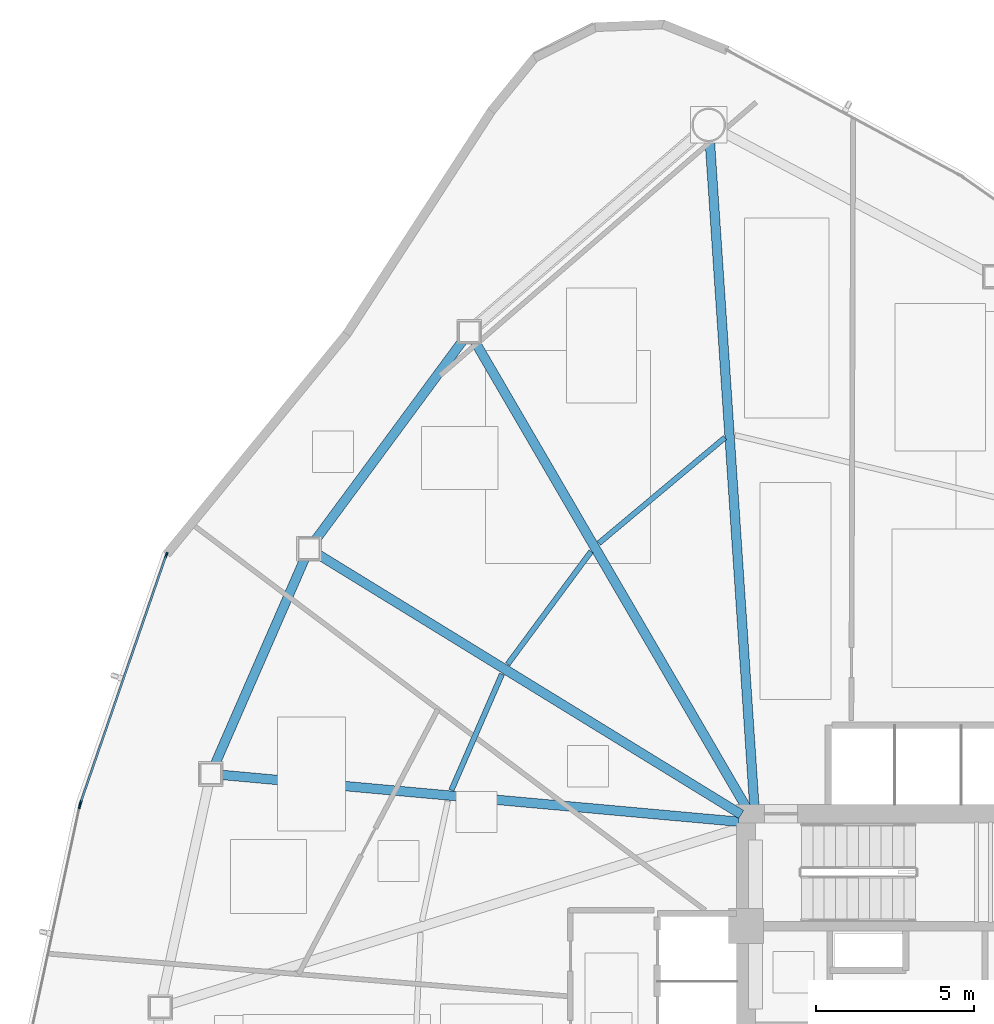
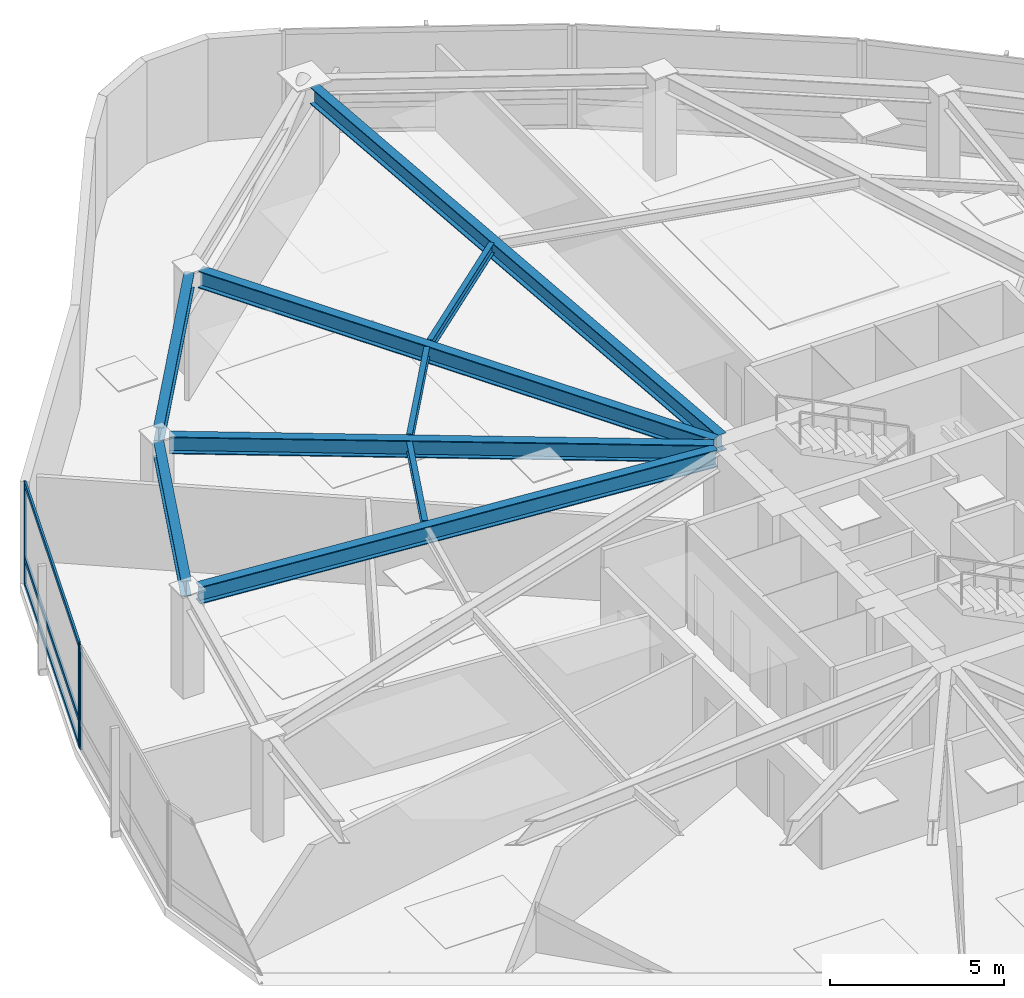
# One storey, part 7 of 17: 9 beams, 6 members, 2 elements without a shape of their own.
"""IFC4 building model written with IfcOpenShell, lengths in metres."""

import ifcopenshell
import ifcopenshell.guid

model = None  # the IFC model being written
_history = None  # IfcOwnerHistory: only IFC2X3 demands one
_inside = {}  # id of a spatial element -> (the spatial element, [elements in it])
_under = {}  # id of a project, library or spatial element -> (it, [spatial elements below it])
_declared = {}  # id of a project -> (the project, [libraries it declares])
_typed = {}  # id of a type object -> (the type object, [elements of that type])
_made_of = {}  # id of a material, layer set ... -> (it, [elements and type objects made of it])


def new_model(schema):
    """Start an empty IFC model of exactly this schema.

    Asked for "IFC4X3", IfcOpenShell would pick the latest addendum, in which some entities
    have other attributes; the version numbers below select the first issue.
    IFC2X3 requires an IfcOwnerHistory on every rooted entity: one is made here for all.
    """
    global model, _history
    if schema == "IFC4X3":
        model = ifcopenshell.file(schema_version=(4, 3, 0, 0))
    else:
        model = ifcopenshell.file(schema=schema)
    _inside.clear()
    _under.clear()
    _declared.clear()
    _typed.clear()
    _made_of.clear()
    _history = None
    if model.schema == "IFC2X3":
        org = make("IfcOrganization", Name="unknown")
        user = make(
            "IfcPersonAndOrganization",
            ThePerson=make("IfcPerson", FamilyName="unknown"),
            TheOrganization=org,
        )
        app = make(
            "IfcApplication",
            ApplicationDeveloper=org,
            Version="unknown",
            ApplicationFullName="unknown",
            ApplicationIdentifier="unknown",
        )
        _history = make(
            "IfcOwnerHistory",
            OwningUser=user,
            OwningApplication=app,
            ChangeAction="ADDED",
            CreationDate=0,
        )
    return model


def make(cls, **values):
    """One entity of the class cls with the attributes given. An attribute that is None is left unset."""
    return model.create_entity(
        cls, **{name: value for name, value in values.items() if value is not None}
    )


def rooted(cls, **values):
    """An entity with a GlobalId (a new one), such as an element, a storey or a relation."""
    return make(cls, GlobalId=ifcopenshell.guid.new(), OwnerHistory=_history, **values)


def si_unit(unit_type, name, prefix=None):
    """IfcSIUnit, for example si_unit("LENGTHUNIT", "METRE", prefix="MILLI")."""
    return make("IfcSIUnit", UnitType=unit_type, Prefix=prefix, Name=name)


def assignment(units):
    """IfcUnitAssignment: the units of a project."""
    return None if units is None else make("IfcUnitAssignment", Units=units)


def point(xyz):
    """IfcCartesianPoint."""
    return None if xyz is None else make("IfcCartesianPoint", Coordinates=xyz)


def direction(xyz):
    """IfcDirection."""
    return None if xyz is None else make("IfcDirection", DirectionRatios=xyz)


def frame(location, z_axis=None, x_axis=None):
    """IfcAxis2Placement3D, a coordinate frame: its origin and axes. An axis left out is left unset."""
    return make(
        "IfcAxis2Placement3D",
        Location=point(location),
        Axis=direction(z_axis),
        RefDirection=direction(x_axis),
    )


def frame_2d(location, x_axis=None):
    """IfcAxis2Placement2D, a coordinate frame in the plane: its origin and x axis."""
    return make(
        "IfcAxis2Placement2D", Location=point(location), RefDirection=direction(x_axis)
    )


def origin():
    """The frame at (0, 0, 0) with its axes left unset."""
    return frame((0.0, 0.0, 0.0))


def origin_2d():
    """The frame at (0, 0) in the plane with its x axis left unset."""
    return frame_2d((0.0, 0.0))


def place(relative_to, where):
    """IfcLocalPlacement: puts the frame where relative to a parent placement (None: the world)."""
    return make(
        "IfcLocalPlacement", PlacementRelTo=relative_to, RelativePlacement=where
    )


def context(
    kind, dimensions, precision=None, world=None, true_north=None, identifier=None
):
    """IfcGeometricRepresentationContext, for example the 3D "Model" context."""
    return make(
        "IfcGeometricRepresentationContext",
        ContextIdentifier=identifier,
        ContextType=kind,
        CoordinateSpaceDimension=dimensions,
        Precision=precision,
        WorldCoordinateSystem=world,
        TrueNorth=true_north,
    )


def subcontext(parent, identifier, kind, view, scale=None):
    """IfcGeometricRepresentationSubContext, for example "Body" below "Model"."""
    return make(
        "IfcGeometricRepresentationSubContext",
        ContextIdentifier=identifier,
        ContextType=kind,
        ParentContext=parent,
        TargetScale=scale,
        TargetView=view,
    )


def project(units=None, contexts=None):
    """IfcProject with its units and contexts."""
    return rooted(
        "IfcProject",
        Name="project",
        RepresentationContexts=contexts,
        UnitsInContext=assignment(units),
    )


def spatial(cls, under=None, at=None, **own):
    """A site, building, storey or space (cls), placed at a placement, below another one or the project."""
    s = rooted(cls, ObjectPlacement=at, **own)
    if under is not None:
        _under.setdefault(under.id(), (under, []))[1].append(s)
    return s


def profile(cls, at=None, kind="AREA", **sizes):
    """A parametric profile (cls). Its sizes go by their IFC names, for example OverallWidth=200.0."""
    return make(cls, ProfileType=kind, Position=at, **sizes)


def hollow_rectangle(**sizes):
    """IfcRectangleHollowProfileDef."""
    return profile("IfcRectangleHollowProfileDef", **sizes)


def i_section(**sizes):
    """IfcIShapeProfileDef."""
    return profile("IfcIShapeProfileDef", **sizes)


def extrude(swept, where, along, depth):
    """IfcExtrudedAreaSolid: the profile swept, set in the frame where, extruded along a direction by depth."""
    return make(
        "IfcExtrudedAreaSolid",
        SweptArea=swept,
        Position=where,
        ExtrudedDirection=direction(along),
        Depth=depth,
    )


def shape(context_of_items, identifier, shape_type, items):
    """IfcShapeRepresentation: the items that make up one representation, for example the "Body"."""
    return make(
        "IfcShapeRepresentation",
        ContextOfItems=context_of_items,
        RepresentationIdentifier=identifier,
        RepresentationType=shape_type,
        Items=items,
    )


def source(mapping_origin, context_of_items, identifier, shape_type, items):
    """IfcRepresentationMap: a shape defined once, which mapped items show again and again."""
    return make(
        "IfcRepresentationMap",
        MappingOrigin=mapping_origin,
        MappedRepresentation=shape(context_of_items, identifier, shape_type, items),
    )


def transform(
    local_origin,
    x_axis=None,
    y_axis=None,
    z_axis=None,
    scale=None,
    scale2=None,
    scale3=None,
    uniform=True,
):
    """IfcCartesianTransformationOperator3D, or its non-uniform kind. x_axis, y_axis, z_axis: its Axis1, 2, 3."""
    if uniform:
        return make(
            "IfcCartesianTransformationOperator3D",
            Axis1=direction(x_axis),
            Axis2=direction(y_axis),
            LocalOrigin=point(local_origin),
            Scale=scale,
            Axis3=direction(z_axis),
        )
    return make(
        "IfcCartesianTransformationOperator3DnonUniform",
        Axis1=direction(x_axis),
        Axis2=direction(y_axis),
        LocalOrigin=point(local_origin),
        Scale=scale,
        Axis3=direction(z_axis),
        Scale2=scale2,
        Scale3=scale3,
    )


def mapped(mapping_source, mapping_target):
    """IfcMappedItem: shows the shape of a source again, moved by a transform."""
    return make(
        "IfcMappedItem", MappingSource=mapping_source, MappingTarget=mapping_target
    )


def material(Name=None, Category=None):
    """IfcMaterial."""
    return make("IfcMaterial", Name=Name, Category=Category)


def layer(
    of_material, thickness, ventilated=None, Name=None, Category=None, Priority=None
):
    """IfcMaterialLayer: one layer of a wall or slab, of a material (None: an air gap)."""
    return make(
        "IfcMaterialLayer",
        Material=of_material,
        LayerThickness=thickness,
        IsVentilated=ventilated,
        Name=Name,
        Category=Category,
        Priority=Priority,
    )


def layer_set(layers, Name=None):
    """IfcMaterialLayerSet."""
    return make("IfcMaterialLayerSet", MaterialLayers=layers, LayerSetName=Name)


def material_profile(
    of_material, cross_section, Name=None, Category=None, Priority=None
):
    """IfcMaterialProfile: a cross section and its material."""
    return make(
        "IfcMaterialProfile",
        Name=Name,
        Material=of_material,
        Profile=cross_section,
        Priority=Priority,
        Category=Category,
    )


def profile_set(profiles, Name=None, composite=None):
    """IfcMaterialProfileSet."""
    return make(
        "IfcMaterialProfileSet",
        Name=Name,
        MaterialProfiles=profiles,
        CompositeProfile=composite,
    )


def made_of(thing, what):
    """Note that an element or type object is made of a material, layer set ...; save() writes the relation."""
    if what is not None:
        _made_of.setdefault(what.id(), (what, []))[1].append(thing)
    return thing


def type_object(cls, material=None, **own):
    """A type object (cls), such as IfcWallType, which elements share."""
    return made_of(rooted(cls, **own), material)


def type_shapes(of_type, sources):
    """Give a type object the sources (RepresentationMaps) that its elements show as mapped items."""
    of_type.RepresentationMaps = sources


def element(
    cls,
    number,
    at=None,
    inside=None,
    cuts=None,
    type_object=None,
    material=None,
    context=None,
    identifier="Body",
    shape_type=None,
    held_by="IfcProductDefinitionShape",
    body=None,
    shapes=None,
    **own,
):
    """One element of the class cls, such as IfcWall. Its Tag is "e" and its number.

    at: its placement. inside: the storey or other place that contains it. cuts: it is an
    opening in that element (IfcRelVoidsElement). A single representation is given by context,
    identifier, shape_type and body (its items); several are given by shapes. held_by: the class
    of the entity that holds the representations. save() writes the other relations.
    """
    e = rooted(cls, Tag="e%d" % number, ObjectPlacement=at, **own)
    if body is not None:
        shapes = [shape(context, identifier, shape_type, body)]
    if shapes is not None:
        e.Representation = make(held_by, Representations=shapes)
    if inside is not None:
        _inside.setdefault(inside.id(), (inside, []))[1].append(e)
    if cuts is not None:
        rooted(
            "IfcRelVoidsElement", RelatingBuildingElement=cuts, RelatedOpeningElement=e
        )
    if type_object is not None:
        _typed.setdefault(type_object.id(), (type_object, []))[1].append(e)
    return made_of(e, material)


def aggregate(whole, parts):
    """IfcRelAggregates: a whole, such as a stair, and the parts it consists of."""
    return rooted("IfcRelAggregates", RelatingObject=whole, RelatedObjects=parts)


def save(model, path):
    """Write the relations noted so far, then the file.

    IfcRelAggregates (storeys below a building ...), IfcRelContainedInSpatialStructure (elements
    in a storey), IfcRelDefinesByType, IfcRelAssociatesMaterial and IfcRelDeclares: one each for
    every whole, place, type object, material and project.
    """
    for whole, parts in _under.values():
        aggregate(whole, parts)
    for where, things in _inside.values():
        rooted(
            "IfcRelContainedInSpatialStructure",
            RelatedElements=things,
            RelatingStructure=where,
        )
    for kind, things in _typed.values():
        rooted("IfcRelDefinesByType", RelatedObjects=things, RelatingType=kind)
    for what, things in _made_of.values():
        rooted("IfcRelAssociatesMaterial", RelatedObjects=things, RelatingMaterial=what)
    for by, libraries in _declared.values():
        rooted("IfcRelDeclares", RelatingContext=by, RelatedDefinitions=libraries)
    model.write(path)


model = new_model("IFC4")

# Units and contexts
model_context = context("Model", 3, precision=1e-05, world=origin(), true_north=direction((0.0, 1.0)))
body_context = subcontext(model_context, "Body", "Model", "MODEL_VIEW")
ifc_project = project(units=[si_unit("LENGTHUNIT", "METRE"), si_unit("AREAUNIT", "SQUARE_METRE"), si_unit("VOLUMEUNIT", "CUBIC_METRE"), si_unit("PLANEANGLEUNIT", "RADIAN"), si_unit("MASSUNIT", "GRAM", prefix="KILO")], contexts=[model_context])

# Site, building, storey
site_placement = place(None, origin())
site = spatial("IfcSite", under=ifc_project, at=site_placement, CompositionType="ELEMENT")
building_placement = place(site_placement, origin())
building = spatial("IfcBuilding", under=site, at=building_placement, Name="Tavelor Broadcast Tower", CompositionType="ELEMENT")
storey_placement = place(building_placement, frame((0.0, 0.0, 86.10009765625)))
storey = spatial("IfcBuildingStorey", under=building, at=storey_placement, Name="L20", CompositionType="ELEMENT", Elevation=86.10009765625)

# Beams
ifc_material_1 = material(Name="Steel S355", Category="steel")
ifc_material_profile_1 = material_profile(ifc_material_1, i_section(OverallWidth=0.169921875, OverallDepth=0.360107421875, WebThickness=0.008056640625, FlangeThickness=0.0126953125, at=origin_2d()), Name="IPE 360")
ifc_profile_set_1 = profile_set([ifc_material_profile_1], Name="Steel S355")
beam_type_1 = type_object("IfcBeamType", Name="Composite Floor Joist T2 IPE 360", PredefinedType="JOIST", material=ifc_profile_set_1)
beam_1_placement = place(storey_placement, frame((42.437744140625, 63.38671875, 3.419921875), z_axis=(-0.766764124222, -0.641928950746, 0.0), x_axis=(0.641928950746, -0.766764124222, 0.0)))
element("IfcBeam", 1, at=beam_1_placement, inside=storey, type_object=beam_type_1, Name="L20 Secondary Composite Floor Joist 01", PredefinedType="JOIST", context=body_context, shape_type="SweptSolid", body=[
    extrude(i_section(OverallWidth=0.169921875, OverallDepth=0.360107421875, WebThickness=0.008056640625, FlangeThickness=0.0126953125, at=origin_2d()), origin(), (0.0, 0.0, 1.0), 5.1982421875),
])
beam_2_placement = place(storey_placement, frame((38.20556640625, 59.7880859375, 3.419921875), z_axis=(-0.594699209794, -0.803948288057, 0.0), x_axis=(0.803948288057, -0.594699209794, 0.0)))
element("IfcBeam", 2, at=beam_2_placement, inside=storey, type_object=beam_type_1, Name="L20 Secondary Composite Floor Joist 02", PredefinedType="JOIST", context=body_context, shape_type="SweptSolid", body=[
    extrude(i_section(OverallWidth=0.169921875, OverallDepth=0.360107421875, WebThickness=0.008056640625, FlangeThickness=0.0126953125, at=origin_2d()), origin(), (0.0, 0.0, 1.0), 4.432373046875),
])
beam_3_placement = place(storey_placement, frame((35.3896484375, 55.9130859375, 3.419921875), z_axis=(-0.399446150725, -0.916756659464, 0.0), x_axis=(0.916756659464, -0.399446150725, 0.0)))
element("IfcBeam", 3, at=beam_3_placement, inside=storey, type_object=beam_type_1, Name="L20 Secondary Composite Floor Joist 03", PredefinedType="JOIST", context=body_context, shape_type="SweptSolid", body=[
    extrude(i_section(OverallWidth=0.169921875, OverallDepth=0.360107421875, WebThickness=0.008056640625, FlangeThickness=0.0126953125, at=origin_2d()), origin(), (0.0, 0.0, 1.0), 4.00390625),
])
ifc_material_profile_2 = material_profile(ifc_material_1, i_section(OverallWidth=0.300048828125, OverallDepth=0.550048828125, WebThickness=0.014892578125, FlangeThickness=0.029052734375, at=origin_2d()), Name="HEB 550")
ifc_profile_set_2 = profile_set([ifc_material_profile_2], Name="Steel S355")
beam_type_2 = type_object("IfcBeamType", Name="Perimeter Spandrel Beam T2 HEB 550", PredefinedType="SPANDREL", material=ifc_profile_set_2)
beam_4_placement = place(storey_placement, frame((34.156494140625, 66.45751953125, 3.324951171875), z_axis=(-0.59411824878, -0.804377713805, 0.0), x_axis=(0.804377713805, -0.59411824878, 0.0)))
element("IfcBeam", 4, at=beam_4_placement, inside=storey, type_object=beam_type_2, Name="L20 Framed-Tube Ring Spandrel 02", PredefinedType="SPANDREL", context=body_context, shape_type="SweptSolid", body=[
    extrude(i_section(OverallWidth=0.300048828125, OverallDepth=0.550048828125, WebThickness=0.014892578125, FlangeThickness=0.029052734375, at=origin_2d()), origin(), (0.0, 0.0, 1.0), 7.8515625),
])
beam_5_placement = place(storey_placement, frame((29.157958984375, 59.5634765625, 3.324951171875), z_axis=(-0.399859236649, -0.916576560287, 0.0), x_axis=(0.916576560287, -0.399859236649, 0.0)))
element("IfcBeam", 5, at=beam_5_placement, inside=storey, type_object=beam_type_2, Name="L20 Framed-Tube Ring Spandrel 03", PredefinedType="SPANDREL", context=body_context, shape_type="SweptSolid", body=[
    extrude(i_section(OverallWidth=0.300048828125, OverallDepth=0.550048828125, WebThickness=0.014892578125, FlangeThickness=0.029052734375, at=origin_2d()), origin(), (0.0, 0.0, 1.0), 7.088623046875),
])
ifc_material_profile_3 = material_profile(ifc_material_1, i_section(OverallWidth=0.300048828125, OverallDepth=0.60009765625, WebThickness=0.015380859375, FlangeThickness=0.030029296875, at=origin_2d()), Name="HEB 600")
ifc_profile_set_3 = profile_set([ifc_material_profile_3], Name="Steel S355")
beam_type_3 = type_object("IfcBeamType", Name="Radial Floor Girder T2 HEB 600", PredefinedType="BEAM", material=ifc_profile_set_3)
beam_6_placement = place(storey_placement, frame((43.36474609375, 51.726806640625, 3.2998046875), z_axis=(-0.066782727419, 0.997767541724, 0.0), x_axis=(-0.997767541724, -0.066782727419, 0.0)))
element("IfcBeam", 6, at=beam_6_placement, inside=storey, type_object=beam_type_3, Name="L20 Radial Primary Floor Girder 01", PredefinedType="BEAM", context=body_context, shape_type="SweptSolid", body=[
    extrude(i_section(OverallWidth=0.300048828125, OverallDepth=0.60009765625, WebThickness=0.015380859375, FlangeThickness=0.030029296875, at=origin_2d()), origin(), (0.0, 0.0, 1.0), 21.075439453125),
])
beam_7_placement = place(storey_placement, frame((43.13427734375, 51.65625, 3.2998046875), z_axis=(-0.503292320279, 0.864116219237, 0.0), x_axis=(-0.864116219237, -0.503292320279, 0.0)))
element("IfcBeam", 7, at=beam_7_placement, inside=storey, type_object=beam_type_3, Name="L20 Radial Primary Floor Girder 02", PredefinedType="BEAM", context=body_context, shape_type="SweptSolid", body=[
    extrude(i_section(OverallWidth=0.300048828125, OverallDepth=0.60009765625, WebThickness=0.015380859375, FlangeThickness=0.030029296875, at=origin_2d()), origin(), (0.0, 0.0, 1.0), 17.105712890625),
])
beam_8_placement = place(storey_placement, frame((42.9501953125, 51.4765625, 3.2998046875), z_axis=(-0.851937509834, 0.523643465859, 0.0), x_axis=(-0.523643465859, -0.851937509834, 0.0)))
element("IfcBeam", 8, at=beam_8_placement, inside=storey, type_object=beam_type_3, Name="L20 Radial Primary Floor Girder 03", PredefinedType="BEAM", context=body_context, shape_type="SweptSolid", body=[
    extrude(i_section(OverallWidth=0.300048828125, OverallDepth=0.60009765625, WebThickness=0.015380859375, FlangeThickness=0.030029296875, at=origin_2d()), origin(), (0.0, 0.0, 1.0), 15.69580078125),
])
beam_9_placement = place(storey_placement, frame((42.874267578125, 51.24755859375, 3.2998046875), z_axis=(-0.99592702313, 0.090162989073, 0.0), x_axis=(-0.090162989073, -0.99592702313, 0.0)))
element("IfcBeam", 9, at=beam_9_placement, inside=storey, type_object=beam_type_3, Name="L20 Radial Primary Floor Girder 04", PredefinedType="BEAM", context=body_context, shape_type="SweptSolid", body=[
    extrude(i_section(OverallWidth=0.300048828125, OverallDepth=0.60009765625, WebThickness=0.015380859375, FlangeThickness=0.030029296875, at=origin_2d()), origin(), (0.0, 0.0, 1.0), 16.417236328125),
])

# Curtain wall, members
ifc_material_2 = material(Name="Architectural Anodized Aluminium", Category="aluminium")
ifc_layer = layer(ifc_material_2, 0.179931640625)
ifc_layer_set = layer_set([ifc_layer], Name="Architectural Anodized Aluminium")
curtain_wall_type = type_object("IfcCurtainWallType", Name="Tower Low-Zone Unitised Curtain Wall CW02", PredefinedType="NOTDEFINED", material=ifc_layer_set)
curtain_wall_1_placement = place(storey_placement, origin())
curtain_wall_1 = element("IfcCurtainWall", 10, at=curtain_wall_1_placement, inside=storey, type_object=curtain_wall_type, Name="L20 Curtain Wall CW02 Run 193", PredefinedType="NOTDEFINED")
ifc_material_profile_4 = material_profile(ifc_material_2, hollow_rectangle(XDim=0.06494140625, YDim=0.179931640625, WallThickness=0.02197265625, at=origin_2d()), Name="RHS 65x180x22")
ifc_profile_set_4 = profile_set([ifc_material_profile_4], Name="Architectural Anodized Aluminium")
member_type_1 = type_object("IfcMemberType", Name="CW02 Extruded Aluminium Mullion 65x180", PredefinedType="MULLION", material=ifc_profile_set_4)
shared_shape_1 = source(origin(), body_context, "Body", "SweptSolid", [
    extrude(hollow_rectangle(XDim=0.06494140625, YDim=0.179931640625, WallThickness=0.02197265625, at=origin_2d()), origin(), (0.0, 0.0, 1.0), 3.599853515625),
])
type_shapes(member_type_1, [shared_shape_1])
member_1_placement = place(storey_placement, frame((24.782470703125, 59.67041015625, 0.0), z_axis=(0.0, 0.0, 1.0), x_axis=(0.94508840864, -0.326814779125, 0.0)))
member_1 = element("IfcMember", 11, at=member_1_placement, type_object=member_type_1, Name="CW02 mullion 1", PredefinedType="MULLION", context=body_context, shape_type="MappedRepresentation", body=[
    mapped(shared_shape_1, transform((0.0, 0.0, 0.0), scale=1.0)),
])
member_2_placement = place(storey_placement, frame((22.074951171875, 51.841064453125, 0.0), z_axis=(0.0, 0.0, 1.0), x_axis=(0.94508840864, -0.326814779125, 0.0)))
member_2 = element("IfcMember", 12, at=member_2_placement, type_object=member_type_1, Name="CW02 mullion 2", PredefinedType="MULLION", context=body_context, shape_type="MappedRepresentation", body=[
    mapped(shared_shape_1, transform((0.0, 0.0, 0.0), scale=1.0)),
])

# Curtain wall, member
curtain_wall_2_placement = place(storey_placement, origin())
curtain_wall_2 = element("IfcCurtainWall", 13, at=curtain_wall_2_placement, inside=storey, type_object=curtain_wall_type, Name="L20 Curtain Wall CW02 Run 194", PredefinedType="NOTDEFINED")
member_3_placement = place(storey_placement, frame((22.04931640625, 51.74951171875, 0.0), z_axis=(0.0, 0.0, 1.0), x_axis=(0.977694827392, -0.210030532284, 0.0)))
member_3 = element("IfcMember", 14, at=member_3_placement, type_object=member_type_1, Name="CW02 mullion 1", PredefinedType="MULLION", context=body_context, shape_type="MappedRepresentation", body=[
    mapped(shared_shape_1, transform((0.0, 0.0, 0.0), scale=1.0)),
])
aggregate(curtain_wall_2, [member_3])

# Member
ifc_material_profile_5 = material_profile(ifc_material_2, hollow_rectangle(XDim=0.06494140625, YDim=0.179931640625, WallThickness=0.02197265625, at=origin_2d()), Name="RHS 65x180x22")
ifc_profile_set_5 = profile_set([ifc_material_profile_5], Name="Architectural Anodized Aluminium")
member_type_2 = type_object("IfcMemberType", Name="CW02 Extruded Aluminium Transom 65x180", PredefinedType="USERDEFINED", material=ifc_profile_set_5)
shared_shape_2 = source(origin(), body_context, "Body", "SweptSolid", [
    extrude(hollow_rectangle(XDim=0.06494140625, YDim=0.179931640625, WallThickness=0.02197265625, at=origin_2d()), origin(), (0.0, 0.0, 1.0), 8.21923828125),
])
type_shapes(member_type_2, [shared_shape_2])
member_4_placement = place(storey_placement, frame((24.771728515625, 59.6396484375, 0.032470703125), z_axis=(-0.326829992567, -0.945083147643, 0.0), x_axis=(0.945083147643, -0.326829992567, 0.0)))
member_4 = element("IfcMember", 15, at=member_4_placement, type_object=member_type_2, Name="CW02 transom 1.1", ObjectType="TRANSOM", PredefinedType="USERDEFINED", context=body_context, shape_type="MappedRepresentation", body=[
    mapped(shared_shape_2, transform((0.0, 0.0, 0.0), scale=1.0)),
])

member_5_placement = place(storey_placement, frame((24.771728515625, 59.6396484375, 0.949951171875), z_axis=(-0.326829992567, -0.945083147643, 0.0), x_axis=(0.945083147643, -0.326829992567, 0.0)))
member_5 = element("IfcMember", 16, at=member_5_placement, type_object=member_type_2, Name="CW02 transom 1.2", ObjectType="TRANSOM", PredefinedType="USERDEFINED", context=body_context, shape_type="MappedRepresentation", body=[
    mapped(shared_shape_2, transform((0.0, 0.0, 0.0), scale=1.0)),
])

member_6_placement = place(storey_placement, frame((24.771728515625, 59.6396484375, 3.5673828125), z_axis=(-0.326829992567, -0.945083147643, 0.0), x_axis=(0.945083147643, -0.326829992567, 0.0)))
member_6 = element("IfcMember", 17, at=member_6_placement, type_object=member_type_2, Name="CW02 transom 1.3", ObjectType="TRANSOM", PredefinedType="USERDEFINED", context=body_context, shape_type="MappedRepresentation", body=[
    mapped(shared_shape_2, transform((0.0, 0.0, 0.0), scale=1.0)),
])

aggregate(curtain_wall_1, [member_1, member_2, member_4, member_5, member_6])

save(model, "model.ifc")
